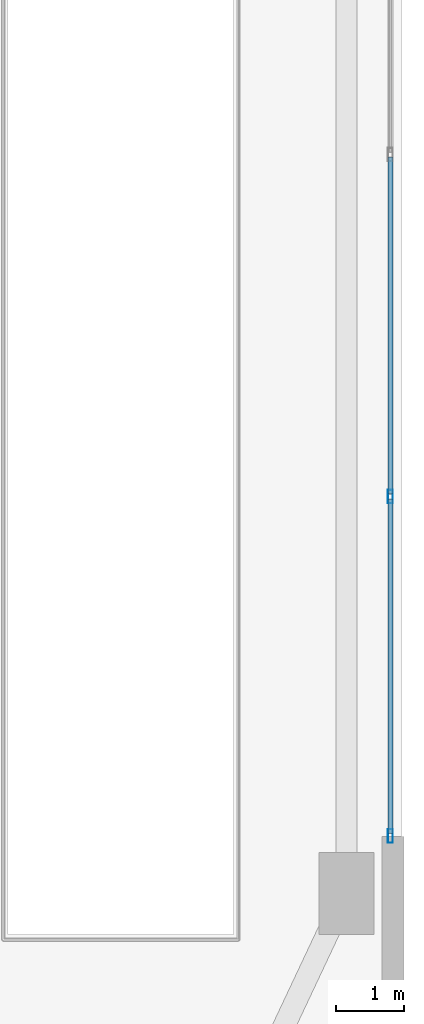
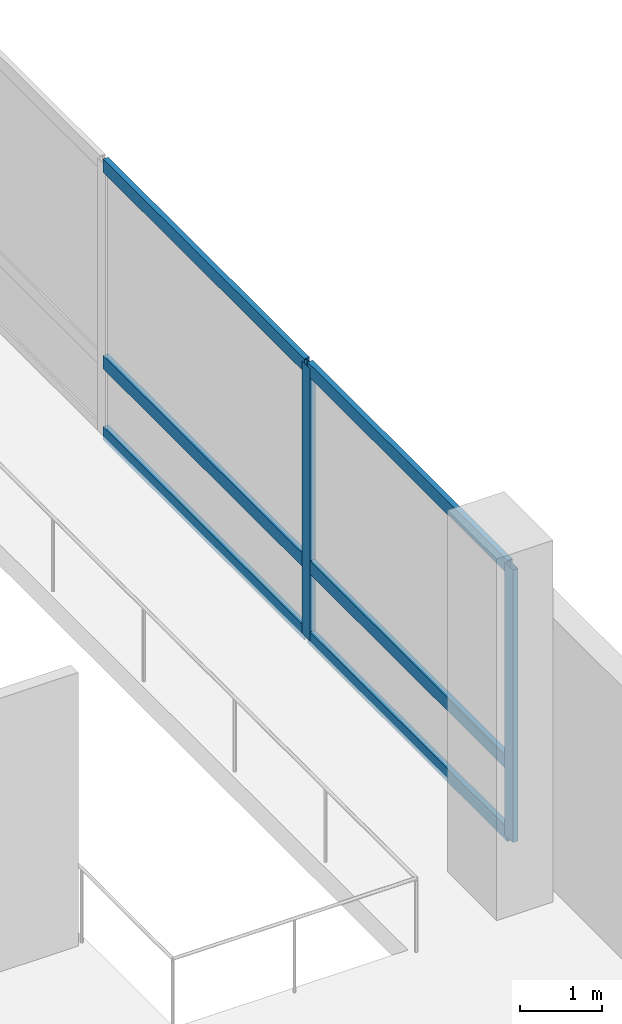
# One storey, part 12 of 26: 8 members, 1 element without a shape of its own.
"""IFC4 building model written with IfcOpenShell, lengths in metres."""

from ifc_helpers import new_model, si_unit, direction, frame, origin, origin_2d, place, context, subcontext, project, spatial, hollow_rectangle, extrude, material, layer, layer_set, material_profile, profile_set, type_object, element, aggregate, save


model = new_model("IFC4")

# Units and contexts
model_context = context("Model", 3, precision=1e-05, world=origin(), true_north=direction((0.0, 1.0)))
body_context = subcontext(model_context, "Body", "Model", "MODEL_VIEW")
ifc_project = project(units=[si_unit("LENGTHUNIT", "METRE"), si_unit("AREAUNIT", "SQUARE_METRE"), si_unit("VOLUMEUNIT", "CUBIC_METRE"), si_unit("PLANEANGLEUNIT", "RADIAN"), si_unit("MASSUNIT", "GRAM", prefix="KILO")], contexts=[model_context])

# Site, building, storey
site_placement = place(None, origin())
site = spatial("IfcSite", under=ifc_project, at=site_placement, CompositionType="ELEMENT")
building_placement = place(site_placement, origin())
building = spatial("IfcBuilding", under=site, at=building_placement, Name="Varnelok Gate Tower", CompositionType="ELEMENT")
storey_placement = place(building_placement, origin())
storey = spatial("IfcBuildingStorey", under=building, at=storey_placement, Name="L00", CompositionType="ELEMENT", Elevation=0.0)

# Curtain wall, members
ifc_material = material(Name="Anodized Aluminum Alloy 6063-T6", Category="aluminium")
ifc_layer = layer(ifc_material, 0.179931640625)
ifc_layer_set = layer_set([ifc_layer], Name="Anodized Aluminum Alloy 6063-T6")
curtain_wall_type = type_object("IfcCurtainWallType", Name="CW1-ARCH-PORTAL", PredefinedType="USERDEFINED", material=ifc_layer_set)
curtain_wall_placement = place(storey_placement, origin())
curtain_wall = element("IfcCurtainWall", 1, at=curtain_wall_placement, inside=storey, type_object=curtain_wall_type, Name="L00 Podium Portal Curtain Wall E", ObjectType="UNITISED CURTAIN WALL", PredefinedType="USERDEFINED")
ifc_material_profile_1 = material_profile(ifc_material, hollow_rectangle(XDim=0.074951171875, YDim=0.199951171875, WallThickness=0.00390625, at=origin_2d()), Name="ALU200X75X4")
ifc_profile_set_1 = profile_set([ifc_material_profile_1], Name="Anodized Aluminum Alloy 6063-T6")
member_type_1 = type_object("IfcMemberType", Name="CW-MULL-200", PredefinedType="MULLION", material=ifc_profile_set_1)
member_1_placement = place(storey_placement, frame((78.239990234375, 20.199951171875, 0.0), z_axis=(0.0, 0.0, 1.0), x_axis=(1.0, 0.0, 0.0)))
member_1 = element("IfcMember", 2, at=member_1_placement, type_object=member_type_1, Name="CW1 mullion 4", PredefinedType="MULLION", context=body_context, shape_type="SweptSolid", body=[
    extrude(hollow_rectangle(XDim=0.074951171875, YDim=0.199951171875, WallThickness=0.00390625, at=origin_2d()), origin(), (0.0, 0.0, 1.0), 4.070068359375),
])
member_2_placement = place(storey_placement, frame((78.239990234375, 15.237548828125, 0.0), z_axis=(0.0, 0.0, 1.0), x_axis=(1.0, 0.0, 0.0)))
member_2 = element("IfcMember", 3, at=member_2_placement, type_object=member_type_1, Name="CW1 mullion 5", PredefinedType="MULLION", context=body_context, shape_type="SweptSolid", body=[
    extrude(hollow_rectangle(XDim=0.074951171875, YDim=0.199951171875, WallThickness=0.00390625, at=origin_2d()), origin(), (0.0, 0.0, 1.0), 4.070068359375),
])
ifc_material_profile_2 = material_profile(ifc_material, hollow_rectangle(XDim=0.074951171875, YDim=0.199951171875, WallThickness=0.00390625, at=origin_2d()), Name="ALU200X75X4")
ifc_profile_set_2 = profile_set([ifc_material_profile_2], Name="Anodized Aluminum Alloy 6063-T6")
member_type_2 = type_object("IfcMemberType", Name="CW-TRAN-200", PredefinedType="USERDEFINED", material=ifc_profile_set_2)
member_3_placement = place(storey_placement, frame((78.239990234375, 25.16259765625, 0.03759765625), z_axis=(0.0, -1.0, 0.0), x_axis=(1.0, 0.0, 0.0)))
member_3 = element("IfcMember", 4, at=member_3_placement, type_object=member_type_2, Name="CW1 transom 3.1", ObjectType="TRANSOM", PredefinedType="USERDEFINED", context=body_context, shape_type="SweptSolid", body=[
    extrude(hollow_rectangle(XDim=0.074951171875, YDim=0.199951171875, WallThickness=0.00390625, at=origin_2d()), origin(), (0.0, 0.0, 1.0), 4.925048828125),
])
member_4_placement = place(storey_placement, frame((78.239990234375, 25.16259765625, 1.10009765625), z_axis=(0.0, -1.0, 0.0), x_axis=(1.0, 0.0, 0.0)))
member_4 = element("IfcMember", 5, at=member_4_placement, type_object=member_type_2, Name="CW1 transom 3.2", ObjectType="TRANSOM", PredefinedType="USERDEFINED", context=body_context, shape_type="SweptSolid", body=[
    extrude(hollow_rectangle(XDim=0.074951171875, YDim=0.199951171875, WallThickness=0.00390625, at=origin_2d()), origin(), (0.0, 0.0, 1.0), 4.925048828125),
])
member_5_placement = place(storey_placement, frame((78.239990234375, 25.16259765625, 4.032470703125), z_axis=(0.0, -1.0, 0.0), x_axis=(1.0, 0.0, 0.0)))
member_5 = element("IfcMember", 6, at=member_5_placement, type_object=member_type_2, Name="CW1 transom 3.3", ObjectType="TRANSOM", PredefinedType="USERDEFINED", context=body_context, shape_type="SweptSolid", body=[
    extrude(hollow_rectangle(XDim=0.074951171875, YDim=0.199951171875, WallThickness=0.00390625, at=origin_2d()), origin(), (0.0, 0.0, 1.0), 4.925048828125),
])
member_6_placement = place(storey_placement, frame((78.239990234375, 20.16259765625, 0.03759765625), z_axis=(0.0, -1.0, 0.0), x_axis=(1.0, 0.0, 0.0)))
member_6 = element("IfcMember", 7, at=member_6_placement, type_object=member_type_2, Name="CW1 transom 4.1", ObjectType="TRANSOM", PredefinedType="USERDEFINED", context=body_context, shape_type="SweptSolid", body=[
    extrude(hollow_rectangle(XDim=0.074951171875, YDim=0.199951171875, WallThickness=0.00390625, at=origin_2d()), origin(), (0.0, 0.0, 1.0), 4.8876953125),
])
member_7_placement = place(storey_placement, frame((78.239990234375, 20.16259765625, 1.10009765625), z_axis=(0.0, -1.0, 0.0), x_axis=(1.0, 0.0, 0.0)))
member_7 = element("IfcMember", 8, at=member_7_placement, type_object=member_type_2, Name="CW1 transom 4.2", ObjectType="TRANSOM", PredefinedType="USERDEFINED", context=body_context, shape_type="SweptSolid", body=[
    extrude(hollow_rectangle(XDim=0.074951171875, YDim=0.199951171875, WallThickness=0.00390625, at=origin_2d()), origin(), (0.0, 0.0, 1.0), 4.8876953125),
])
member_8_placement = place(storey_placement, frame((78.239990234375, 20.16259765625, 4.032470703125), z_axis=(0.0, -1.0, 0.0), x_axis=(1.0, 0.0, 0.0)))
member_8 = element("IfcMember", 9, at=member_8_placement, type_object=member_type_2, Name="CW1 transom 4.3", ObjectType="TRANSOM", PredefinedType="USERDEFINED", context=body_context, shape_type="SweptSolid", body=[
    extrude(hollow_rectangle(XDim=0.074951171875, YDim=0.199951171875, WallThickness=0.00390625, at=origin_2d()), origin(), (0.0, 0.0, 1.0), 4.8876953125),
])
aggregate(curtain_wall, [member_1, member_2, member_3, member_4, member_5, member_6, member_7, member_8])

save(model, "model.ifc")
